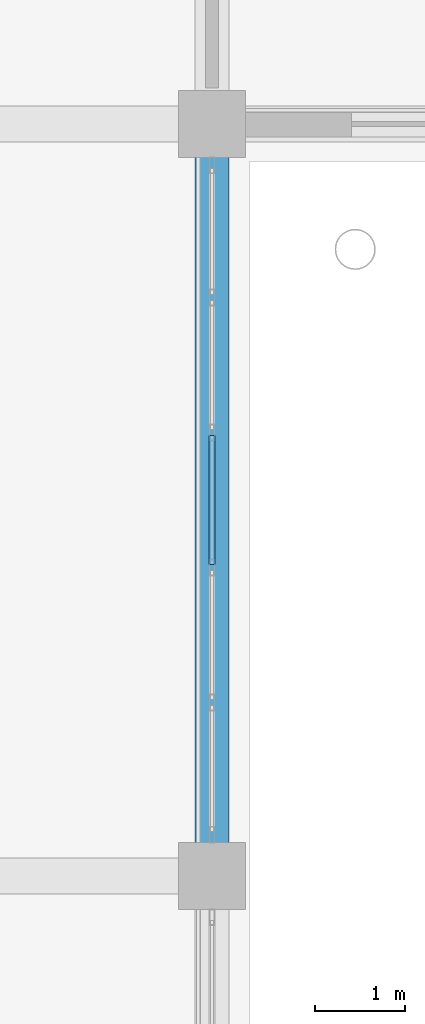
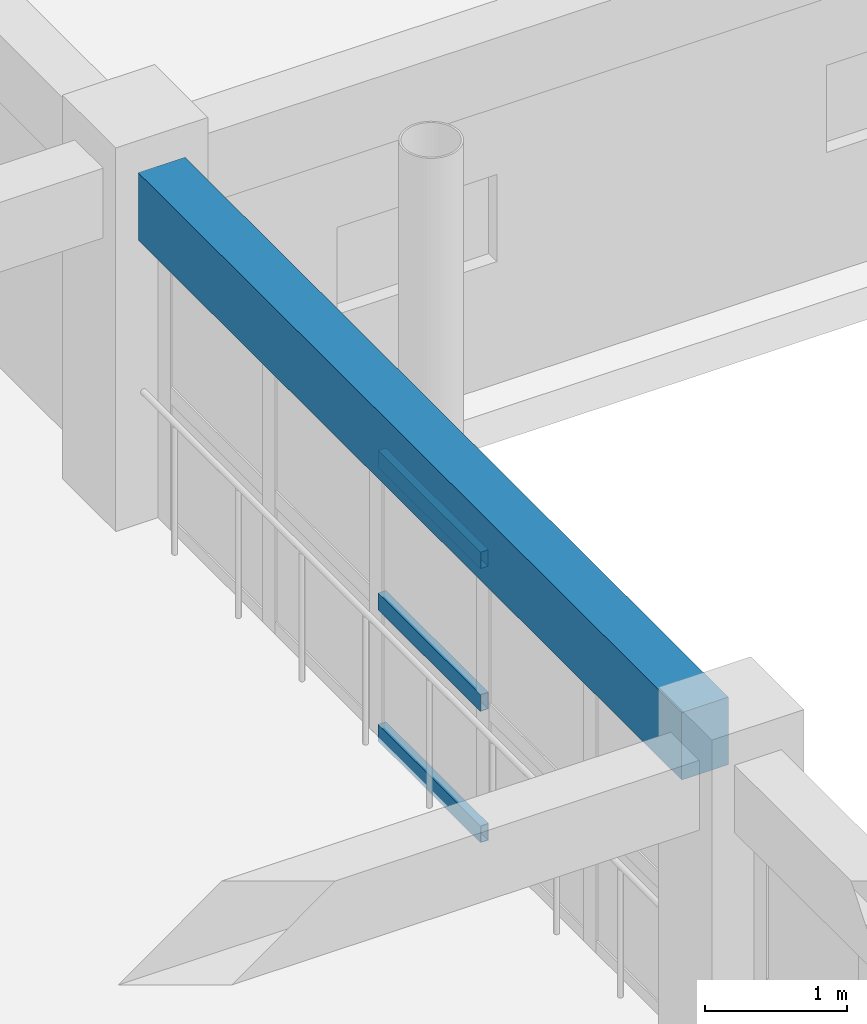
# One storey, part 136 of 200: 3 members, 1 beam, 1 element without a shape of its own.
"""IFC4 building model written with IfcOpenShell, lengths in metres."""

from ifc_helpers import new_model, si_unit, direction, frame, origin, origin_2d, place, context, subcontext, project, spatial, rectangle, hollow_rectangle, extrude, material, layer, layer_set, material_profile, profile_set, type_object, element, aggregate, save


model = new_model("IFC4")

# Units and contexts
model_context = context("Model", 3, precision=1e-05, world=origin(), true_north=direction((0.0, 1.0)))
body_context = subcontext(model_context, "Body", "Model", "MODEL_VIEW")
ifc_project = project(units=[si_unit("LENGTHUNIT", "METRE"), si_unit("AREAUNIT", "SQUARE_METRE"), si_unit("VOLUMEUNIT", "CUBIC_METRE"), si_unit("PLANEANGLEUNIT", "RADIAN"), si_unit("MASSUNIT", "GRAM", prefix="KILO")], contexts=[model_context])

# Site, building, storey
site_placement = place(None, origin())
site = spatial("IfcSite", under=ifc_project, at=site_placement, CompositionType="ELEMENT")
building_placement = place(site_placement, origin())
building = spatial("IfcBuilding", under=site, at=building_placement, Name="Trelvath General Hospital", CompositionType="ELEMENT")
storey_placement = place(building_placement, frame((0.0, 0.0, 4.800048828125)))
storey = spatial("IfcBuildingStorey", under=building, at=storey_placement, Name="L01", CompositionType="ELEMENT", Elevation=4.800048828125)

# Beam
ifc_material_1 = material(Name="Concrete C35/45", Category="concrete")
ifc_material_profile_1 = material_profile(ifc_material_1, rectangle(XDim=0.3798828125, YDim=0.580078125, at=origin_2d()), Name="RCB380x580")
ifc_profile_set_1 = profile_set([ifc_material_profile_1], Name="Concrete C35/45")
beam_type = type_object("IfcBeamType", Name="Beam RC380x580", PredefinedType="BEAM", material=ifc_profile_set_1)
beam_placement = place(storey_placement, frame((142.800048828125, 59.169921875, 2.72998046875), z_axis=(0.0, 1.0, 0.0), x_axis=(-1.0, 0.0, 0.0)))
element("IfcBeam", 1, at=beam_placement, inside=storey, type_object=beam_type, Name="Grid Beam BY-117H", PredefinedType="BEAM", context=body_context, shape_type="SweptSolid", body=[
    extrude(rectangle(XDim=0.3798828125, YDim=0.580078125, at=origin_2d()), origin(), (0.0, 0.0, 1.0), 7.66015625),
])

# Curtain wall, members
ifc_material_2 = material(Name="Anodised aluminium and low-E glass", Category="aluminium")
ifc_layer = layer(ifc_material_2, 0.179931640625)
ifc_layer_set = layer_set([ifc_layer], Name="Anodised aluminium and low-E glass")
curtain_wall_type = type_object("IfcCurtainWallType", Name="CW Facade 754 242 18", PredefinedType="USERDEFINED", material=ifc_layer_set)
curtain_wall_placement = place(storey_placement, origin())
curtain_wall = element("IfcCurtainWall", 2, at=curtain_wall_placement, inside=storey, type_object=curtain_wall_type, Name="Facade Curtain Wall CW-029", ObjectType="Unitised Glazed Curtain Wall", PredefinedType="USERDEFINED")
ifc_material_3 = material(Name="Anodised aluminium", Category="aluminium")
ifc_material_profile_2 = material_profile(ifc_material_3, hollow_rectangle(XDim=0.06494140625, YDim=0.14501953125, WallThickness=0.00390625, at=origin_2d()), Name="RHS65x145x4")
ifc_profile_set_2 = profile_set([ifc_material_profile_2], Name="Anodised aluminium")
member_type = type_object("IfcMemberType", Name="CurtainTransom 65x145", PredefinedType="USERDEFINED", material=ifc_profile_set_2)
member_1_placement = place(storey_placement, frame((142.800048828125, 63.721435546875, 0.032470703125), z_axis=(0.0, -1.0, 0.0), x_axis=(1.0, 0.0, 0.0)))
member_1 = element("IfcMember", 3, at=member_1_placement, type_object=member_type, Name="CW-029 transom 3.1", ObjectType="TRANSOM", PredefinedType="USERDEFINED", context=body_context, shape_type="SweptSolid", body=[
    extrude(hollow_rectangle(XDim=0.06494140625, YDim=0.14501953125, WallThickness=0.00390625, at=origin_2d()), origin(), (0.0, 0.0, 1.0), 1.44287109375),
])
member_2_placement = place(storey_placement, frame((142.800048828125, 63.721435546875, 1.161865234375), z_axis=(0.0, -1.0, 0.0), x_axis=(1.0, 0.0, 0.0)))
member_2 = element("IfcMember", 4, at=member_2_placement, type_object=member_type, Name="CW-029 transom 3.2", ObjectType="TRANSOM", PredefinedType="USERDEFINED", context=body_context, shape_type="SweptSolid", body=[
    extrude(hollow_rectangle(XDim=0.06494140625, YDim=0.14501953125, WallThickness=0.00390625, at=origin_2d()), origin(), (0.0, 0.0, 1.0), 1.44287109375),
])
member_3_placement = place(storey_placement, frame((142.800048828125, 63.721435546875, 2.387451171875), z_axis=(0.0, -1.0, 0.0), x_axis=(1.0, 0.0, 0.0)))
member_3 = element("IfcMember", 5, at=member_3_placement, type_object=member_type, Name="CW-029 transom 3.3", ObjectType="TRANSOM", PredefinedType="USERDEFINED", context=body_context, shape_type="SweptSolid", body=[
    extrude(hollow_rectangle(XDim=0.06494140625, YDim=0.14501953125, WallThickness=0.00390625, at=origin_2d()), origin(), (0.0, 0.0, 1.0), 1.44287109375),
])
aggregate(curtain_wall, [member_1, member_2, member_3])

save(model, "model.ifc")
